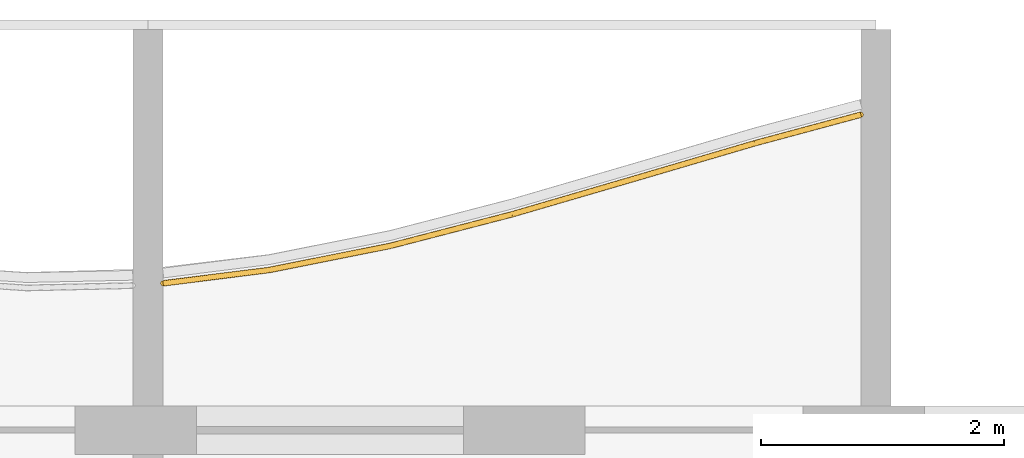
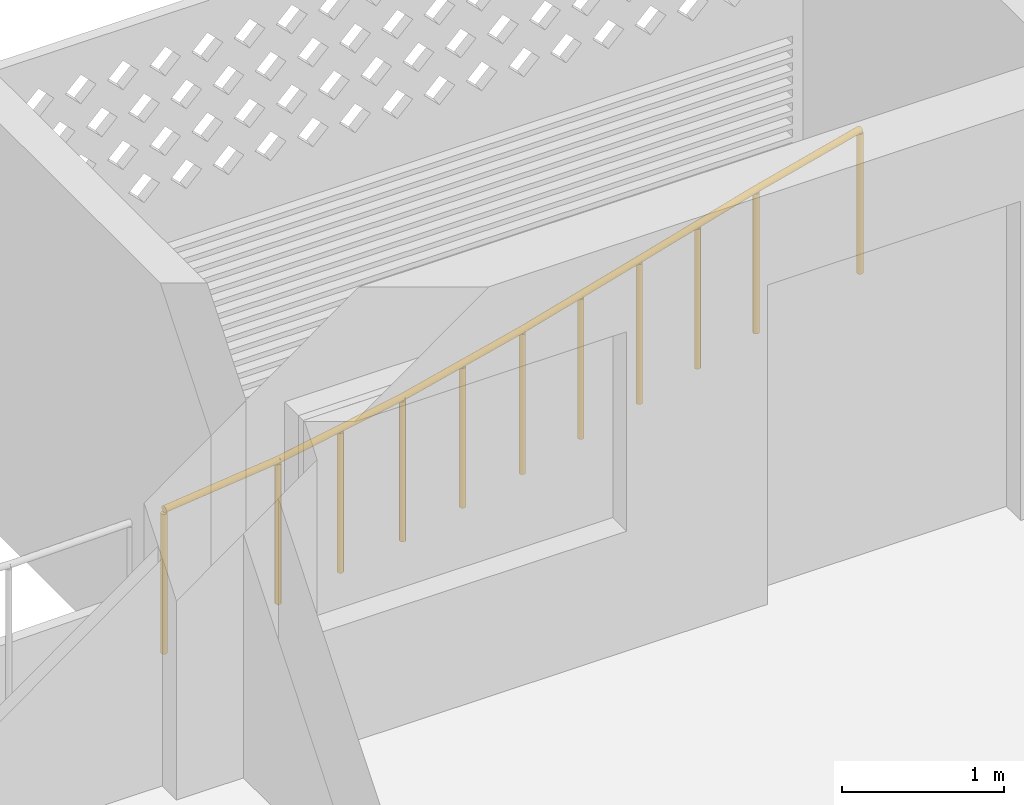
# One storey, part 18 of 27: 1 railing.
"""IFC4 building model written with IfcOpenShell, lengths in metres."""

import ifcopenshell
import ifcopenshell.guid

model = None  # the IFC model being written
_history = None  # IfcOwnerHistory: only IFC2X3 demands one
_inside = {}  # id of a spatial element -> (the spatial element, [elements in it])
_under = {}  # id of a project, library or spatial element -> (it, [spatial elements below it])
_declared = {}  # id of a project -> (the project, [libraries it declares])
_typed = {}  # id of a type object -> (the type object, [elements of that type])
_made_of = {}  # id of a material, layer set ... -> (it, [elements and type objects made of it])


def new_model(schema):
    """Start an empty IFC model of exactly this schema.

    Asked for "IFC4X3", IfcOpenShell would pick the latest addendum, in which some entities
    have other attributes; the version numbers below select the first issue.
    IFC2X3 requires an IfcOwnerHistory on every rooted entity: one is made here for all.
    """
    global model, _history
    if schema == "IFC4X3":
        model = ifcopenshell.file(schema_version=(4, 3, 0, 0))
    else:
        model = ifcopenshell.file(schema=schema)
    _inside.clear()
    _under.clear()
    _declared.clear()
    _typed.clear()
    _made_of.clear()
    _history = None
    if model.schema == "IFC2X3":
        org = make("IfcOrganization", Name="unknown")
        user = make(
            "IfcPersonAndOrganization",
            ThePerson=make("IfcPerson", FamilyName="unknown"),
            TheOrganization=org,
        )
        app = make(
            "IfcApplication",
            ApplicationDeveloper=org,
            Version="unknown",
            ApplicationFullName="unknown",
            ApplicationIdentifier="unknown",
        )
        _history = make(
            "IfcOwnerHistory",
            OwningUser=user,
            OwningApplication=app,
            ChangeAction="ADDED",
            CreationDate=0,
        )
    return model


def make(cls, **values):
    """One entity of the class cls with the attributes given. An attribute that is None is left unset."""
    return model.create_entity(
        cls, **{name: value for name, value in values.items() if value is not None}
    )


def rooted(cls, **values):
    """An entity with a GlobalId (a new one), such as an element, a storey or a relation."""
    return make(cls, GlobalId=ifcopenshell.guid.new(), OwnerHistory=_history, **values)


def si_unit(unit_type, name, prefix=None):
    """IfcSIUnit, for example si_unit("LENGTHUNIT", "METRE", prefix="MILLI")."""
    return make("IfcSIUnit", UnitType=unit_type, Prefix=prefix, Name=name)


def assignment(units):
    """IfcUnitAssignment: the units of a project."""
    return None if units is None else make("IfcUnitAssignment", Units=units)


def point(xyz):
    """IfcCartesianPoint."""
    return None if xyz is None else make("IfcCartesianPoint", Coordinates=xyz)


def direction(xyz):
    """IfcDirection."""
    return None if xyz is None else make("IfcDirection", DirectionRatios=xyz)


def frame(location, z_axis=None, x_axis=None):
    """IfcAxis2Placement3D, a coordinate frame: its origin and axes. An axis left out is left unset."""
    return make(
        "IfcAxis2Placement3D",
        Location=point(location),
        Axis=direction(z_axis),
        RefDirection=direction(x_axis),
    )


def frame_2d(location, x_axis=None):
    """IfcAxis2Placement2D, a coordinate frame in the plane: its origin and x axis."""
    return make(
        "IfcAxis2Placement2D", Location=point(location), RefDirection=direction(x_axis)
    )


def origin():
    """The frame at (0, 0, 0) with its axes left unset."""
    return frame((0.0, 0.0, 0.0))


def origin_2d():
    """The frame at (0, 0) in the plane with its x axis left unset."""
    return frame_2d((0.0, 0.0))


def place(relative_to, where):
    """IfcLocalPlacement: puts the frame where relative to a parent placement (None: the world)."""
    return make(
        "IfcLocalPlacement", PlacementRelTo=relative_to, RelativePlacement=where
    )


def context(
    kind, dimensions, precision=None, world=None, true_north=None, identifier=None
):
    """IfcGeometricRepresentationContext, for example the 3D "Model" context."""
    return make(
        "IfcGeometricRepresentationContext",
        ContextIdentifier=identifier,
        ContextType=kind,
        CoordinateSpaceDimension=dimensions,
        Precision=precision,
        WorldCoordinateSystem=world,
        TrueNorth=true_north,
    )


def subcontext(parent, identifier, kind, view, scale=None):
    """IfcGeometricRepresentationSubContext, for example "Body" below "Model"."""
    return make(
        "IfcGeometricRepresentationSubContext",
        ContextIdentifier=identifier,
        ContextType=kind,
        ParentContext=parent,
        TargetScale=scale,
        TargetView=view,
    )


def project(units=None, contexts=None):
    """IfcProject with its units and contexts."""
    return rooted(
        "IfcProject",
        Name="project",
        RepresentationContexts=contexts,
        UnitsInContext=assignment(units),
    )


def spatial(cls, under=None, at=None, **own):
    """A site, building, storey or space (cls), placed at a placement, below another one or the project."""
    s = rooted(cls, ObjectPlacement=at, **own)
    if under is not None:
        _under.setdefault(under.id(), (under, []))[1].append(s)
    return s


def profile(cls, at=None, kind="AREA", **sizes):
    """A parametric profile (cls). Its sizes go by their IFC names, for example OverallWidth=200.0."""
    return make(cls, ProfileType=kind, Position=at, **sizes)


def circle(**sizes):
    """IfcCircleProfileDef."""
    return profile("IfcCircleProfileDef", **sizes)


def extrude(swept, where, along, depth):
    """IfcExtrudedAreaSolid: the profile swept, set in the frame where, extruded along a direction by depth."""
    return make(
        "IfcExtrudedAreaSolid",
        SweptArea=swept,
        Position=where,
        ExtrudedDirection=direction(along),
        Depth=depth,
    )


def shape(context_of_items, identifier, shape_type, items):
    """IfcShapeRepresentation: the items that make up one representation, for example the "Body"."""
    return make(
        "IfcShapeRepresentation",
        ContextOfItems=context_of_items,
        RepresentationIdentifier=identifier,
        RepresentationType=shape_type,
        Items=items,
    )


def material(Name=None, Category=None):
    """IfcMaterial."""
    return make("IfcMaterial", Name=Name, Category=Category)


def made_of(thing, what):
    """Note that an element or type object is made of a material, layer set ...; save() writes the relation."""
    if what is not None:
        _made_of.setdefault(what.id(), (what, []))[1].append(thing)
    return thing


def type_object(cls, material=None, **own):
    """A type object (cls), such as IfcWallType, which elements share."""
    return made_of(rooted(cls, **own), material)


def element(
    cls,
    number,
    at=None,
    inside=None,
    cuts=None,
    type_object=None,
    material=None,
    context=None,
    identifier="Body",
    shape_type=None,
    held_by="IfcProductDefinitionShape",
    body=None,
    shapes=None,
    **own,
):
    """One element of the class cls, such as IfcWall. Its Tag is "e" and its number.

    at: its placement. inside: the storey or other place that contains it. cuts: it is an
    opening in that element (IfcRelVoidsElement). A single representation is given by context,
    identifier, shape_type and body (its items); several are given by shapes. held_by: the class
    of the entity that holds the representations. save() writes the other relations.
    """
    e = rooted(cls, Tag="e%d" % number, ObjectPlacement=at, **own)
    if body is not None:
        shapes = [shape(context, identifier, shape_type, body)]
    if shapes is not None:
        e.Representation = make(held_by, Representations=shapes)
    if inside is not None:
        _inside.setdefault(inside.id(), (inside, []))[1].append(e)
    if cuts is not None:
        rooted(
            "IfcRelVoidsElement", RelatingBuildingElement=cuts, RelatedOpeningElement=e
        )
    if type_object is not None:
        _typed.setdefault(type_object.id(), (type_object, []))[1].append(e)
    return made_of(e, material)


def aggregate(whole, parts):
    """IfcRelAggregates: a whole, such as a stair, and the parts it consists of."""
    return rooted("IfcRelAggregates", RelatingObject=whole, RelatedObjects=parts)


def save(model, path):
    """Write the relations noted so far, then the file.

    IfcRelAggregates (storeys below a building ...), IfcRelContainedInSpatialStructure (elements
    in a storey), IfcRelDefinesByType, IfcRelAssociatesMaterial and IfcRelDeclares: one each for
    every whole, place, type object, material and project.
    """
    for whole, parts in _under.values():
        aggregate(whole, parts)
    for where, things in _inside.values():
        rooted(
            "IfcRelContainedInSpatialStructure",
            RelatedElements=things,
            RelatingStructure=where,
        )
    for kind, things in _typed.values():
        rooted("IfcRelDefinesByType", RelatedObjects=things, RelatingType=kind)
    for what, things in _made_of.values():
        rooted("IfcRelAssociatesMaterial", RelatedObjects=things, RelatingMaterial=what)
    for by, libraries in _declared.values():
        rooted("IfcRelDeclares", RelatingContext=by, RelatedDefinitions=libraries)
    model.write(path)


model = new_model("IFC4")

# Units and contexts
model_context = context("Model", 3, precision=1e-05, world=origin(), true_north=direction((0.0, 1.0)))
body_context = subcontext(model_context, "Body", "Model", "MODEL_VIEW")
ifc_project = project(units=[si_unit("LENGTHUNIT", "METRE"), si_unit("AREAUNIT", "SQUARE_METRE"), si_unit("VOLUMEUNIT", "CUBIC_METRE"), si_unit("PLANEANGLEUNIT", "RADIAN"), si_unit("MASSUNIT", "GRAM", prefix="KILO")], contexts=[model_context])

# Site, building, storey
site_placement = place(None, origin())
site = spatial("IfcSite", under=ifc_project, at=site_placement, CompositionType="ELEMENT")
building_placement = place(site_placement, origin())
building = spatial("IfcBuilding", under=site, at=building_placement, Name="Poui Terraces", CompositionType="ELEMENT")
storey_placement = place(building_placement, frame((0.0, 0.0, 254.39990234375)))
storey = spatial("IfcBuildingStorey", under=building, at=storey_placement, Name="L71", CompositionType="ELEMENT", Elevation=254.39990234375)

# Railing
ifc_material = material(Name="Painted steel fretwork", Category="steel")
railing_type = type_object("IfcRailingType", Name="BALCONY GUARD 1100", PredefinedType="GUARDRAIL", material=ifc_material)
railing_placement = place(storey_placement, frame((36.125, 42.41015625, 0.0)))
element("IfcRailing", 1, at=railing_placement, inside=storey, type_object=railing_type, Name="BALCONY GUARD", PredefinedType="GUARDRAIL", context=body_context, shape_type="SweptSolid", body=[
    extrude(circle(Radius=0.02392578125, at=origin_2d()), frame((0.0, 0.0, 1.076171875), z_axis=(0.99220958069, 0.124579885968, 0.0), x_axis=(-0.124579885968, 0.99220958069, 0.0)), (0.0, 0.0, 1.0), 0.8818359375),
    extrude(circle(Radius=0.02392578125, at=origin_2d()), frame((0.875, 0.10986328125, 1.076171875), z_axis=(0.980635885947, 0.19583988152, 0.0), x_axis=(-0.19583988152, 0.980635885947, 0.0)), (0.0, 0.0, 1.0), 1.019775390625),
    extrude(circle(Radius=0.02392578125, at=origin_2d()), frame((1.875, 0.3095703125, 1.076171875), z_axis=(0.968107386431, 0.250535602934, 0.0), x_axis=(-0.250535602934, 0.968107386431, 0.0)), (0.0, 0.0, 1.0), 1.032958984375),
    extrude(circle(Radius=0.02392578125, at=origin_2d()), frame((2.875, 0.568359375, 1.076171875), z_axis=(0.95997899776, 0.280071997637, 0.0), x_axis=(-0.280071997637, 0.95997899776, 0.0)), (0.0, 0.0, 1.0), 1.041748046875),
    extrude(circle(Radius=0.02392578125, at=origin_2d()), frame((3.875, 0.860107421875, 1.076171875), z_axis=(0.959410247021, 0.282014144876, 0.0), x_axis=(-0.282014144876, 0.959410247021, 0.0)), (0.0, 0.0, 1.0), 1.042236328125),
    extrude(circle(Radius=0.02392578125, at=origin_2d()), frame((4.875, 1.154052734375, 1.076171875), z_axis=(0.965610555684, 0.259992797499, 0.0), x_axis=(-0.259992797499, 0.965610555684, 0.0)), (0.0, 0.0, 1.0), 0.90625),
    extrude(circle(Radius=0.02099609375, at=origin_2d()), origin(), (0.0, 0.0, 1.0), 1.052001953125),
    extrude(circle(Radius=0.02099609375, at=origin_2d()), frame((0.875, 0.10986328125, 0.0)), (0.0, 0.0, 1.0), 1.052001953125),
    extrude(circle(Radius=0.02099609375, at=origin_2d()), frame((1.375, 0.209716796875, 0.0)), (0.0, 0.0, 1.0), 1.052001953125),
    extrude(circle(Radius=0.02099609375, at=origin_2d()), frame((1.875, 0.3095703125, 0.0)), (0.0, 0.0, 1.0), 1.052001953125),
    extrude(circle(Radius=0.02099609375, at=origin_2d()), frame((2.375, 0.43896484375, 0.0)), (0.0, 0.0, 1.0), 1.052001953125),
    extrude(circle(Radius=0.02099609375, at=origin_2d()), frame((2.875, 0.568359375, 0.0)), (0.0, 0.0, 1.0), 1.052001953125),
    extrude(circle(Radius=0.02099609375, at=origin_2d()), frame((3.375, 0.71435546875, 0.0)), (0.0, 0.0, 1.0), 1.052001953125),
    extrude(circle(Radius=0.02099609375, at=origin_2d()), frame((3.875, 0.860107421875, 0.0)), (0.0, 0.0, 1.0), 1.052001953125),
    extrude(circle(Radius=0.02099609375, at=origin_2d()), frame((4.375, 1.007080078125, 0.0)), (0.0, 0.0, 1.0), 1.052001953125),
    extrude(circle(Radius=0.02099609375, at=origin_2d()), frame((4.875, 1.154052734375, 0.0)), (0.0, 0.0, 1.0), 1.052001953125),
    extrude(circle(Radius=0.02099609375, at=origin_2d()), frame((5.75, 1.3896484375, 0.0)), (0.0, 0.0, 1.0), 1.052001953125),
])

save(model, "model.ifc")
